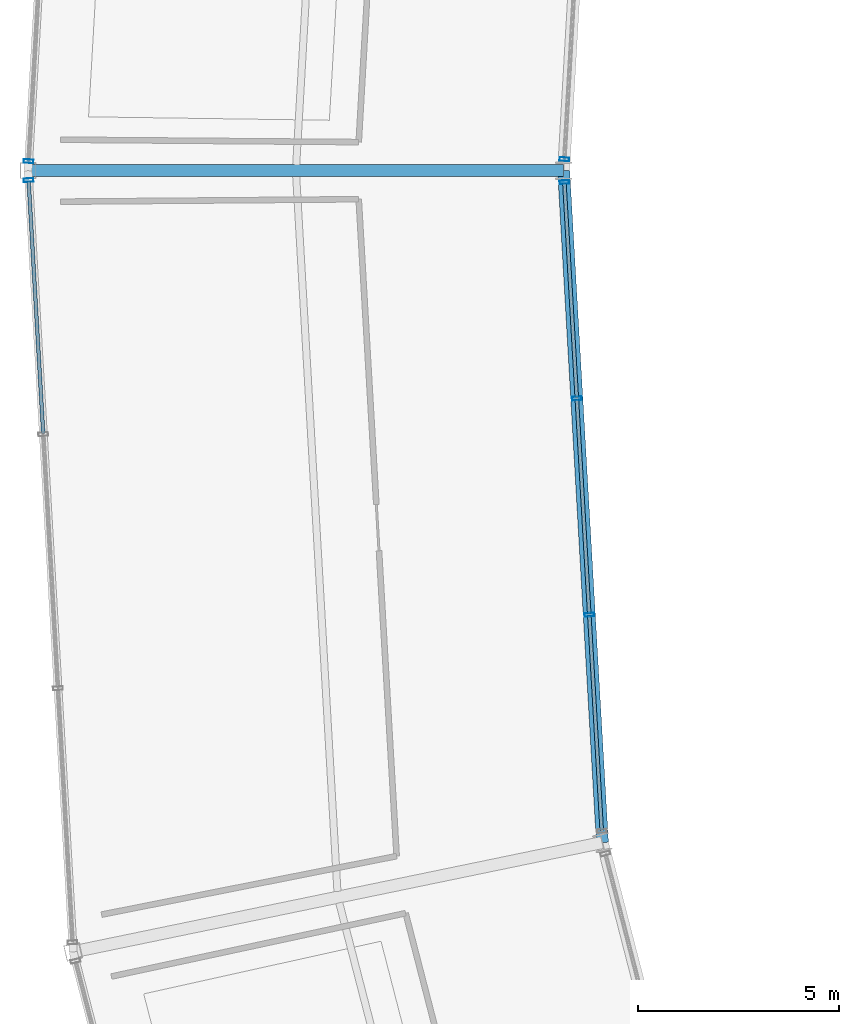
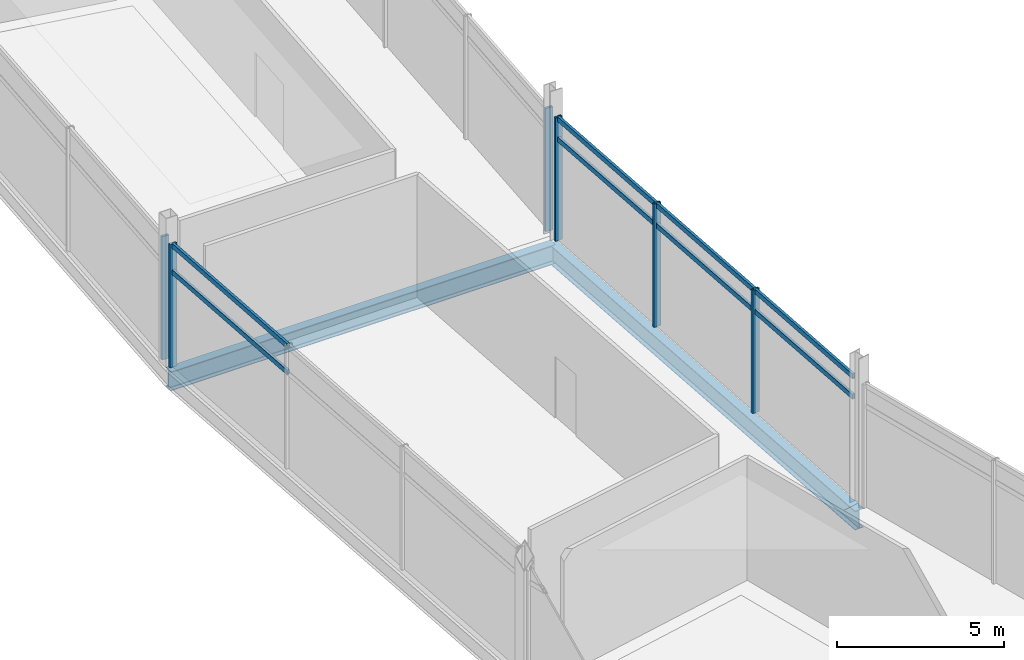
# One storey, part 39 of 86: 14 members, 2 beams, 4 elements without a shape of their own.
"""IFC4 building model written with IfcOpenShell, lengths in metres."""

from ifc_helpers import new_model, si_unit, direction, frame, origin, origin_2d, place, context, subcontext, project, spatial, hollow_rectangle, i_section, extrude, material, layer, layer_set, material_profile, profile_set, type_object, element, aggregate, save


model = new_model("IFC4")

# Units and contexts
model_context = context("Model", 3, precision=1e-05, world=origin(), true_north=direction((0.0, 1.0)))
body_context = subcontext(model_context, "Body", "Model", "MODEL_VIEW")
ifc_project = project(units=[si_unit("LENGTHUNIT", "METRE"), si_unit("AREAUNIT", "SQUARE_METRE"), si_unit("VOLUMEUNIT", "CUBIC_METRE"), si_unit("PLANEANGLEUNIT", "RADIAN"), si_unit("MASSUNIT", "GRAM", prefix="KILO")], contexts=[model_context])

# Site, building, storey
site_placement = place(None, origin())
site = spatial("IfcSite", under=ifc_project, at=site_placement, CompositionType="ELEMENT")
building_placement = place(site_placement, origin())
building = spatial("IfcBuilding", under=site, at=building_placement, Name="Kazemori Nagisa Stadium", CompositionType="ELEMENT")
storey_placement = place(building_placement, frame((0.0, 0.0, 31.280029296875)))
storey = spatial("IfcBuildingStorey", under=building, at=storey_placement, Name="L06", CompositionType="ELEMENT", Elevation=31.280029296875)

# Beams
ifc_material_1 = material(Name="Steel SN490B", Category="steel")
ifc_material_profile_1 = material_profile(ifc_material_1, i_section(OverallWidth=0.300048828125, OverallDepth=0.699951171875, WebThickness=0.012939453125, FlangeThickness=0.02392578125, FilletRadius=0.01806640625, at=origin_2d()), Name="H-700x300x13x24")
ifc_profile_set_1 = profile_set([ifc_material_profile_1], Name="Steel SN490B")
beam_type = type_object("IfcBeamType", Name="Beam_BG-H700", PredefinedType="BEAM", material=ifc_profile_set_1)
beam_1_placement = place(storey_placement, frame((41.300048828125, 102.0, -0.610107421875), z_axis=(0.057594854854, -0.998340038611, 0.0), x_axis=(0.998340038611, 0.057594854854, 0.0)))
element("IfcBeam", 1, at=beam_1_placement, inside=storey, type_object=beam_type, Name="Ring girder BG-H700 L06 R2-15", PredefinedType="BEAM", context=body_context, shape_type="SweptSolid", body=[
    extrude(i_section(OverallWidth=0.300048828125, OverallDepth=0.699951171875, WebThickness=0.012939453125, FlangeThickness=0.02392578125, FilletRadius=0.01806640625, at=origin_2d()), origin(), (0.0, 0.0, 1.0), 16.7099609375),
])
beam_2_placement = place(storey_placement, frame((41.300048828125, 102.0, -0.610107421875), z_axis=(-1.0, 0.0, 0.0), x_axis=(0.0, -1.0, 0.0)))
element("IfcBeam", 2, at=beam_2_placement, inside=storey, type_object=beam_type, Name="Radial girder BG-H700 L06 R2-R3-15", PredefinedType="BEAM", context=body_context, shape_type="SweptSolid", body=[
    extrude(i_section(OverallWidth=0.300048828125, OverallDepth=0.699951171875, WebThickness=0.012939453125, FlangeThickness=0.02392578125, FilletRadius=0.01806640625, at=origin_2d()), origin(), (0.0, 0.0, 1.0), 13.300048828125),
])

# Curtain wall, member
ifc_material_2 = material(Name="Anodised aluminium 6063-T5", Category="aluminium")
ifc_layer_1 = layer(ifc_material_2, 0.239990234375, Name="Anodised aluminium 6063-T5", Category="aluminium")
ifc_layer_set_1 = layer_set([ifc_layer_1], Name="Anodised aluminium 6063-T5")
curtain_wall_type_1 = type_object("IfcCurtainWallType", Name="CW_L06R3_95", PredefinedType="USERDEFINED", material=ifc_layer_set_1)
curtain_wall_1_placement = place(storey_placement, origin())
curtain_wall_1 = element("IfcCurtainWall", 3, at=curtain_wall_1_placement, inside=storey, type_object=curtain_wall_type_1, Name="Unitised curtain wall CW-L06R3-95 L06", ObjectType="UNITISED CURTAIN WALL", PredefinedType="USERDEFINED")
ifc_material_3 = material(Name="Aluminium 6063-T5 anodised", Category="aluminium")
ifc_material_profile_2 = material_profile(ifc_material_3, hollow_rectangle(XDim=0.090087890625, YDim=0.239990234375, WallThickness=0.0048828125, at=origin_2d()), Name="ALU-MULL-90x240x5")
ifc_profile_set_2 = profile_set([ifc_material_profile_2], Name="Aluminium 6063-T5 anodised")
member_type_1 = type_object("IfcMemberType", Name="Mullion_M03", PredefinedType="MULLION", material=ifc_profile_set_2)
member_1_placement = place(storey_placement, frame((28.013427734375, 102.234619140625, 0.0), z_axis=(0.0, 0.0, 1.0), x_axis=(-0.057601670941, -0.998339645364, 0.0)))
member_1 = element("IfcMember", 4, at=member_1_placement, type_object=member_type_1, Name="Curtain wall mullion CW-L06R3-95-M4", PredefinedType="MULLION", context=body_context, shape_type="SweptSolid", body=[
    extrude(hollow_rectangle(XDim=0.090087890625, YDim=0.239990234375, WallThickness=0.0048828125, at=origin_2d()), origin(), (0.0, 0.0, 1.0), 4.510009765625),
])
aggregate(curtain_wall_1, [member_1])

curtain_wall_2_placement = place(storey_placement, origin())
curtain_wall_2 = element("IfcCurtainWall", 5, at=curtain_wall_2_placement, inside=storey, type_object=curtain_wall_type_1, Name="Unitised curtain wall CW-L06R3-95 L06", ObjectType="UNITISED CURTAIN WALL", PredefinedType="USERDEFINED")
member_2_placement = place(storey_placement, frame((28.013427734375, 101.765380859375, 0.0), z_axis=(0.0, 0.0, 1.0), x_axis=(0.057601670941, -0.998339645364, 0.0)))
member_2 = element("IfcMember", 6, at=member_2_placement, type_object=member_type_1, Name="Curtain wall mullion CW-L06R3-95-M1", PredefinedType="MULLION", context=body_context, shape_type="SweptSolid", body=[
    extrude(hollow_rectangle(XDim=0.090087890625, YDim=0.239990234375, WallThickness=0.0048828125, at=origin_2d()), origin(), (0.0, 0.0, 1.0), 4.510009765625),
])

ifc_layer_2 = layer(ifc_material_2, 0.239990234375, Name="Anodised aluminium 6063-T5", Category="aluminium")
ifc_layer_set_2 = layer_set([ifc_layer_2], Name="Anodised aluminium 6063-T5")
curtain_wall_type_2 = type_object("IfcCurtainWallType", Name="CW_L06G_81", PredefinedType="USERDEFINED", material=ifc_layer_set_2)
curtain_wall_3_placement = place(storey_placement, origin())
curtain_wall_3 = element("IfcCurtainWall", 7, at=curtain_wall_3_placement, inside=storey, type_object=curtain_wall_type_2, Name="Unitised curtain wall CW-L06G-81 L06", ObjectType="UNITISED CURTAIN WALL", PredefinedType="USERDEFINED")
member_3_placement = place(storey_placement, frame((41.31640625, 102.284423828125, 0.0), z_axis=(0.0, 0.0, 1.0), x_axis=(-0.057601670941, -0.998339645364, 0.0)))
member_3 = element("IfcMember", 8, at=member_3_placement, type_object=member_type_1, Name="Curtain wall mullion CW-L06G-81-M4", PredefinedType="MULLION", context=body_context, shape_type="SweptSolid", body=[
    extrude(hollow_rectangle(XDim=0.090087890625, YDim=0.239990234375, WallThickness=0.0048828125, at=origin_2d()), origin(), (0.0, 0.0, 1.0), 4.510009765625),
])
aggregate(curtain_wall_3, [member_3])

# Curtain wall, members
curtain_wall_4_placement = place(storey_placement, origin())
curtain_wall_4 = element("IfcCurtainWall", 9, at=curtain_wall_4_placement, inside=storey, type_object=curtain_wall_type_2, Name="Unitised curtain wall CW-L06G-81 L06", ObjectType="UNITISED CURTAIN WALL", PredefinedType="USERDEFINED")
member_4_placement = place(storey_placement, frame((41.31640625, 101.715576171875, 0.0), z_axis=(0.0, 0.0, 1.0), x_axis=(0.057601670941, -0.998339645364, 0.0)))
member_4 = element("IfcMember", 10, at=member_4_placement, type_object=member_type_1, Name="Curtain wall mullion CW-L06G-81-M1", PredefinedType="MULLION", context=body_context, shape_type="SweptSolid", body=[
    extrude(hollow_rectangle(XDim=0.090087890625, YDim=0.239990234375, WallThickness=0.0048828125, at=origin_2d()), origin(), (0.0, 0.0, 1.0), 4.510009765625),
])
member_5_placement = place(storey_placement, frame((41.626220703125, 96.344482421875, 0.0), z_axis=(0.0, 0.0, 1.0), x_axis=(0.057601670941, -0.998339645364, 0.0)))
member_5 = element("IfcMember", 11, at=member_5_placement, type_object=member_type_1, Name="Curtain wall mullion CW-L06G-81-M2", PredefinedType="MULLION", context=body_context, shape_type="SweptSolid", body=[
    extrude(hollow_rectangle(XDim=0.090087890625, YDim=0.239990234375, WallThickness=0.0048828125, at=origin_2d()), origin(), (0.0, 0.0, 1.0), 4.510009765625),
])
member_6_placement = place(storey_placement, frame((41.936279296875, 90.973388671875, 0.0), z_axis=(0.0, 0.0, 1.0), x_axis=(0.057601670941, -0.998339645364, 0.0)))
member_6 = element("IfcMember", 12, at=member_6_placement, type_object=member_type_1, Name="Curtain wall mullion CW-L06G-81-M3", PredefinedType="MULLION", context=body_context, shape_type="SweptSolid", body=[
    extrude(hollow_rectangle(XDim=0.090087890625, YDim=0.239990234375, WallThickness=0.0048828125, at=origin_2d()), origin(), (0.0, 0.0, 1.0), 4.510009765625),
])

# Member
ifc_material_profile_3 = material_profile(ifc_material_3, hollow_rectangle(XDim=0.090087890625, YDim=0.179931640625, WallThickness=0.0048828125, at=origin_2d()), Name="ALU-TRAN-90x180x5")
ifc_profile_set_3 = profile_set([ifc_material_profile_3], Name="Aluminium 6063-T5 anodised")
member_type_2 = type_object("IfcMemberType", Name="Transom_T03", PredefinedType="USERDEFINED", material=ifc_profile_set_3)
member_7_placement = place(storey_placement, frame((28.0146484375, 101.745361328125, 3.47265625), z_axis=(0.057614418392, -0.998338909786, 0.0), x_axis=(0.998338909786, 0.057614418392, 0.0)))
member_7 = element("IfcMember", 13, at=member_7_placement, type_object=member_type_2, Name="Curtain wall transom CW-L06R3-95-T1-mid", ObjectType="TRANSOM", PredefinedType="USERDEFINED", context=body_context, shape_type="SweptSolid", body=[
    extrude(hollow_rectangle(XDim=0.090087890625, YDim=0.179931640625, WallThickness=0.0048828125, at=origin_2d()), origin(), (0.0, 0.0, 1.0), 6.280029296875),
])

member_8_placement = place(storey_placement, frame((28.0146484375, 101.745361328125, 4.43994140625), z_axis=(0.057614418392, -0.998338909786, 0.0), x_axis=(0.998338909786, 0.057614418392, 0.0)))
member_8 = element("IfcMember", 14, at=member_8_placement, type_object=member_type_2, Name="Curtain wall transom CW-L06R3-95-T1-head", ObjectType="TRANSOM", PredefinedType="USERDEFINED", context=body_context, shape_type="SweptSolid", body=[
    extrude(hollow_rectangle(XDim=0.090087890625, YDim=0.179931640625, WallThickness=0.0048828125, at=origin_2d()), origin(), (0.0, 0.0, 1.0), 6.280029296875),
])

aggregate(curtain_wall_2, [member_2, member_7, member_8])

member_9_placement = place(storey_placement, frame((41.317626953125, 101.695556640625, 3.6982421875), z_axis=(0.057607050835, -0.998339334943, 0.0), x_axis=(0.998339334943, 0.057607050835, 0.0)))
member_9 = element("IfcMember", 15, at=member_9_placement, type_object=member_type_2, Name="Curtain wall transom CW-L06G-81-T1-mid", ObjectType="TRANSOM", PredefinedType="USERDEFINED", context=body_context, shape_type="SweptSolid", body=[
    extrude(hollow_rectangle(XDim=0.090087890625, YDim=0.179931640625, WallThickness=0.0048828125, at=origin_2d()), origin(), (0.0, 0.0, 1.0), 5.33984375),
])

member_10_placement = place(storey_placement, frame((41.317626953125, 101.695556640625, 4.43994140625), z_axis=(0.057607050835, -0.998339334943, 0.0), x_axis=(0.998339334943, 0.057607050835, 0.0)))
member_10 = element("IfcMember", 16, at=member_10_placement, type_object=member_type_2, Name="Curtain wall transom CW-L06G-81-T1-head", ObjectType="TRANSOM", PredefinedType="USERDEFINED", context=body_context, shape_type="SweptSolid", body=[
    extrude(hollow_rectangle(XDim=0.090087890625, YDim=0.179931640625, WallThickness=0.0048828125, at=origin_2d()), origin(), (0.0, 0.0, 1.0), 5.33984375),
])

member_11_placement = place(storey_placement, frame((41.62744140625, 96.324462890625, 3.6982421875), z_axis=(0.057607050835, -0.998339334943, 0.0), x_axis=(0.998339334943, 0.057607050835, 0.0)))
member_11 = element("IfcMember", 17, at=member_11_placement, type_object=member_type_2, Name="Curtain wall transom CW-L06G-81-T2-mid", ObjectType="TRANSOM", PredefinedType="USERDEFINED", context=body_context, shape_type="SweptSolid", body=[
    extrude(hollow_rectangle(XDim=0.090087890625, YDim=0.179931640625, WallThickness=0.0048828125, at=origin_2d()), origin(), (0.0, 0.0, 1.0), 5.33984375),
])

member_12_placement = place(storey_placement, frame((41.62744140625, 96.324462890625, 4.43994140625), z_axis=(0.057607050835, -0.998339334943, 0.0), x_axis=(0.998339334943, 0.057607050835, 0.0)))
member_12 = element("IfcMember", 18, at=member_12_placement, type_object=member_type_2, Name="Curtain wall transom CW-L06G-81-T2-head", ObjectType="TRANSOM", PredefinedType="USERDEFINED", context=body_context, shape_type="SweptSolid", body=[
    extrude(hollow_rectangle(XDim=0.090087890625, YDim=0.179931640625, WallThickness=0.0048828125, at=origin_2d()), origin(), (0.0, 0.0, 1.0), 5.33984375),
])

member_13_placement = place(storey_placement, frame((41.937255859375, 90.95361328125, 3.6982421875), z_axis=(0.057607050835, -0.998339334943, 0.0), x_axis=(0.998339334943, 0.057607050835, 0.0)))
member_13 = element("IfcMember", 19, at=member_13_placement, type_object=member_type_2, Name="Curtain wall transom CW-L06G-81-T3-mid", ObjectType="TRANSOM", PredefinedType="USERDEFINED", context=body_context, shape_type="SweptSolid", body=[
    extrude(hollow_rectangle(XDim=0.090087890625, YDim=0.179931640625, WallThickness=0.0048828125, at=origin_2d()), origin(), (0.0, 0.0, 1.0), 5.33984375),
])

member_14_placement = place(storey_placement, frame((41.937255859375, 90.95361328125, 4.43994140625), z_axis=(0.057607050835, -0.998339334943, 0.0), x_axis=(0.998339334943, 0.057607050835, 0.0)))
member_14 = element("IfcMember", 20, at=member_14_placement, type_object=member_type_2, Name="Curtain wall transom CW-L06G-81-T3-head", ObjectType="TRANSOM", PredefinedType="USERDEFINED", context=body_context, shape_type="SweptSolid", body=[
    extrude(hollow_rectangle(XDim=0.090087890625, YDim=0.179931640625, WallThickness=0.0048828125, at=origin_2d()), origin(), (0.0, 0.0, 1.0), 5.33984375),
])

aggregate(curtain_wall_4, [member_4, member_5, member_6, member_9, member_10, member_11, member_12, member_13, member_14])

save(model, "model.ifc")
